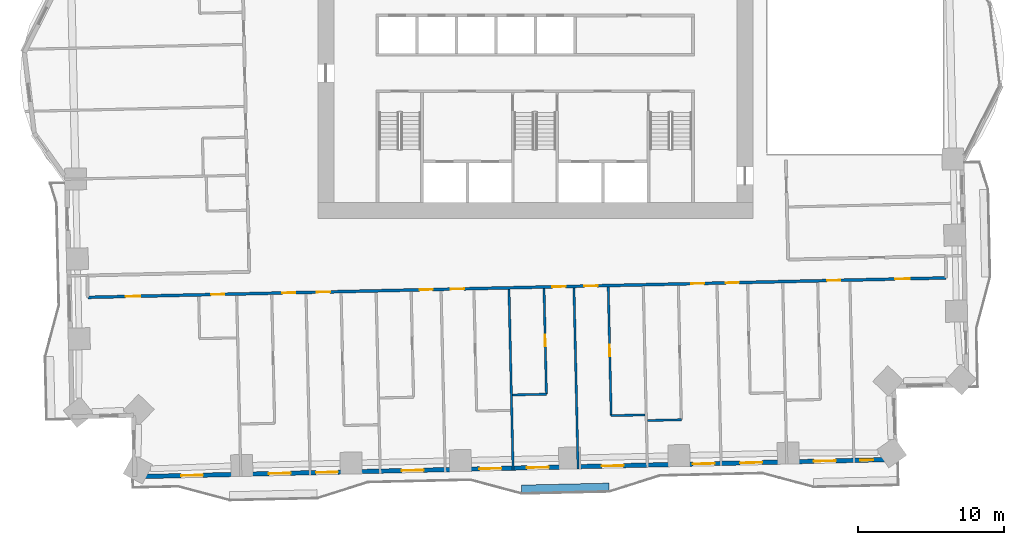
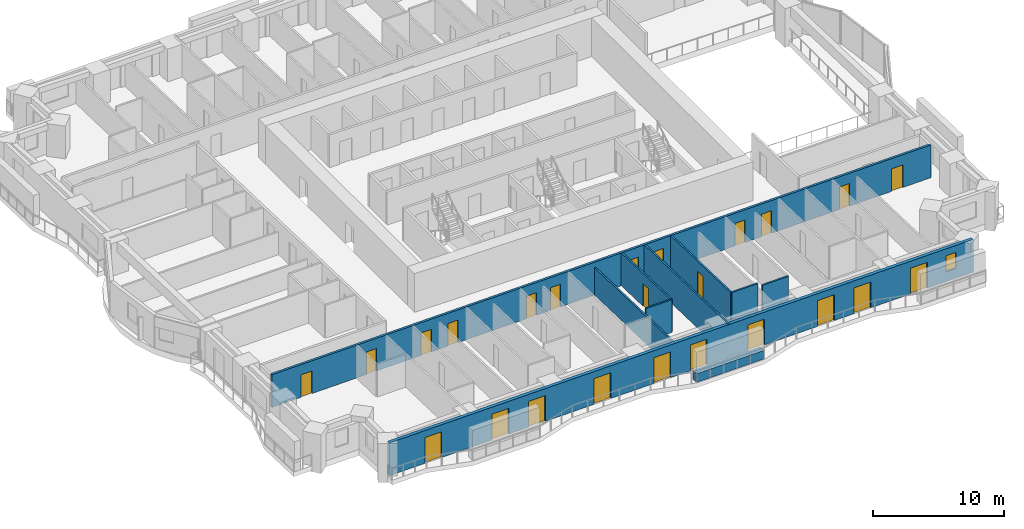
# One storey, part 6 of 16: 24 doors, 10 walls, 1 window, 25 openings.
"""IFC4 building model written with IfcOpenShell, lengths in metres."""

from ifc_helpers import new_model, si_unit, direction, frame, frame_2d, origin, place, context, subcontext, project, spatial, rectangle, extrude, material, layer, layer_set, type_object, element, fill, save


model = new_model("IFC4")

# Units and contexts
model_context = context("Model", 3, precision=1e-05, world=origin(), true_north=direction((0.0, 1.0)))
body_context = subcontext(model_context, "Body", "Model", "MODEL_VIEW")
ifc_project = project(units=[si_unit("LENGTHUNIT", "METRE"), si_unit("AREAUNIT", "SQUARE_METRE"), si_unit("VOLUMEUNIT", "CUBIC_METRE"), si_unit("PLANEANGLEUNIT", "RADIAN"), si_unit("MASSUNIT", "GRAM", prefix="KILO")], contexts=[model_context])

# Site, building, storey
site_placement = place(None, origin())
site = spatial("IfcSite", under=ifc_project, at=site_placement, CompositionType="ELEMENT")
building_placement = place(site_placement, origin())
building = spatial("IfcBuilding", under=site, at=building_placement, Name="Mangrove Gate Tower", CompositionType="ELEMENT")
storey_placement = place(building_placement, frame((0.0, 0.0, 48.5)))
storey = spatial("IfcBuildingStorey", under=building, at=storey_placement, Name="L11", CompositionType="ELEMENT", Elevation=48.5)

# Wall, openings, doors
ifc_material_1 = material(Name="Gypsum board on steel stud, EI 60", Category="steel")
ifc_layer_1 = layer(ifc_material_1, 0.199951171875)
ifc_layer_set_1 = layer_set([ifc_layer_1], Name="Corridor wall EI 60")
wall_type_1 = type_object("IfcWallType", Name="Corridor wall EI 60", PredefinedType="PARTITIONING", material=ifc_layer_set_1)
wall_1_placement = place(storey_placement, frame((-30.652099609375, -17.31298828125, 0.0), z_axis=(0.0, 0.0, 1.0), x_axis=(0.999742623764, 0.02268669719, 0.0)))
wall_1 = element("IfcWall", 1, at=wall_1_placement, inside=storey, type_object=wall_type_1, Name="WALL-L11-031", PredefinedType="PARTITIONING", context=body_context, shape_type="SweptSolid", body=[
    extrude(rectangle(XDim=58.80029296875, YDim=0.199951171875, at=frame_2d((29.400146484375, 0.0))), origin(), (0.0, 0.0, 1.0), 3.050048828125),
])
opening_1_placement = place(wall_1_placement, frame((2.60009765625, 0.0, 0.0)))
opening_1 = element("IfcOpeningElement", 2, at=opening_1_placement, cuts=wall_1, Name="Opening AD", PredefinedType="OPENING", context=body_context, shape_type="SweptSolid", body=[
    extrude(rectangle(XDim=1.0, YDim=2.10009765625, at=frame_2d((0.5, 1.050048828125))), frame((0.0, 0.10986328125, 0.0), z_axis=(0.0, -1.0, 0.0), x_axis=(1.0, 0.0, 0.0)), (0.0, 0.0, 1.0), 0.219970703125),
])
opening_2_placement = place(wall_1_placement, frame((8.449951171875, 0.0, 0.0)))
opening_2 = element("IfcOpeningElement", 3, at=opening_2_placement, cuts=wall_1, Name="Opening SD", PredefinedType="OPENING", context=body_context, shape_type="SweptSolid", body=[
    extrude(rectangle(XDim=0.89990234375, YDim=2.10009765625, at=frame_2d((0.449951171875, 1.050048828125))), frame((0.0, 0.10986328125, 0.0), z_axis=(0.0, -1.0, 0.0), x_axis=(1.0, 0.0, 0.0)), (0.0, 0.0, 1.0), 0.219970703125),
])
opening_3_placement = place(wall_1_placement, frame((13.324951171875, 0.0, 0.0)))
opening_3 = element("IfcOpeningElement", 4, at=opening_3_placement, cuts=wall_1, Name="Opening BD", PredefinedType="OPENING", context=body_context, shape_type="SweptSolid", body=[
    extrude(rectangle(XDim=0.89990234375, YDim=2.10009765625, at=frame_2d((0.449951171875, 1.050048828125))), frame((0.0, 0.10986328125, 0.0), z_axis=(0.0, -1.0, 0.0), x_axis=(1.0, 0.0, 0.0)), (0.0, 0.0, 1.0), 0.219970703125),
])
opening_4_placement = place(wall_1_placement, frame((15.699951171875, 0.0, 0.0)))
opening_4 = element("IfcOpeningElement", 5, at=opening_4_placement, cuts=wall_1, Name="Opening BD", PredefinedType="OPENING", context=body_context, shape_type="SweptSolid", body=[
    extrude(rectangle(XDim=0.89990234375, YDim=2.10009765625, at=frame_2d((0.449951171875, 1.050048828125))), frame((0.0, 0.10986328125, 0.0), z_axis=(0.0, -1.0, 0.0), x_axis=(1.0, 0.0, 0.0)), (0.0, 0.0, 1.0), 0.219970703125),
])
opening_5_placement = place(wall_1_placement, frame((22.72509765625, 0.0, 0.0)))
opening_5 = element("IfcOpeningElement", 6, at=opening_5_placement, cuts=wall_1, Name="Opening BD", PredefinedType="OPENING", context=body_context, shape_type="SweptSolid", body=[
    extrude(rectangle(XDim=0.89990234375, YDim=2.10009765625, at=frame_2d((0.449951171875, 1.050048828125))), frame((0.0, 0.10986328125, 0.0), z_axis=(0.0, -1.0, 0.0), x_axis=(1.0, 0.0, 0.0)), (0.0, 0.0, 1.0), 0.219970703125),
])
opening_6_placement = place(wall_1_placement, frame((24.875, 0.0, 0.0)))
opening_6 = element("IfcOpeningElement", 7, at=opening_6_placement, cuts=wall_1, Name="Opening BD", PredefinedType="OPENING", context=body_context, shape_type="SweptSolid", body=[
    extrude(rectangle(XDim=0.89990234375, YDim=2.10009765625, at=frame_2d((0.449951171875, 1.050048828125))), frame((0.0, 0.10986328125, 0.0), z_axis=(0.0, -1.0, 0.0), x_axis=(1.0, 0.0, 0.0)), (0.0, 0.0, 1.0), 0.219970703125),
])
opening_7_placement = place(wall_1_placement, frame((31.824951171875, 0.0, 0.0)))
opening_7 = element("IfcOpeningElement", 8, at=opening_7_placement, cuts=wall_1, Name="Opening BD", PredefinedType="OPENING", context=body_context, shape_type="SweptSolid", body=[
    extrude(rectangle(XDim=0.89990234375, YDim=2.10009765625, at=frame_2d((0.449951171875, 1.050048828125))), frame((0.0, 0.10986328125, 0.0), z_axis=(0.0, -1.0, 0.0), x_axis=(1.0, 0.0, 0.0)), (0.0, 0.0, 1.0), 0.219970703125),
])
opening_8_placement = place(wall_1_placement, frame((34.02490234375, 0.0, 0.0)))
opening_8 = element("IfcOpeningElement", 9, at=opening_8_placement, cuts=wall_1, Name="Opening BD", PredefinedType="OPENING", context=body_context, shape_type="SweptSolid", body=[
    extrude(rectangle(XDim=0.89990234375, YDim=2.10009765625, at=frame_2d((0.449951171875, 1.050048828125))), frame((0.0, 0.10986328125, 0.0), z_axis=(0.0, -1.0, 0.0), x_axis=(1.0, 0.0, 0.0)), (0.0, 0.0, 1.0), 0.219970703125),
])
opening_9_placement = place(wall_1_placement, frame((41.324951171875, 0.0, 0.0)))
opening_9 = element("IfcOpeningElement", 10, at=opening_9_placement, cuts=wall_1, Name="Opening BD", PredefinedType="OPENING", context=body_context, shape_type="SweptSolid", body=[
    extrude(rectangle(XDim=0.89990234375, YDim=2.10009765625, at=frame_2d((0.449951171875, 1.050048828125))), frame((0.0, 0.10986328125, 0.0), z_axis=(0.0, -1.0, 0.0), x_axis=(1.0, 0.0, 0.0)), (0.0, 0.0, 1.0), 0.219970703125),
])
opening_10_placement = place(wall_1_placement, frame((43.699951171875, 0.0, 0.0)))
opening_10 = element("IfcOpeningElement", 11, at=opening_10_placement, cuts=wall_1, Name="Opening BD", PredefinedType="OPENING", context=body_context, shape_type="SweptSolid", body=[
    extrude(rectangle(XDim=0.89990234375, YDim=2.10009765625, at=frame_2d((0.449951171875, 1.050048828125))), frame((0.0, 0.10986328125, 0.0), z_axis=(0.0, -1.0, 0.0), x_axis=(1.0, 0.0, 0.0)), (0.0, 0.0, 1.0), 0.219970703125),
])
opening_11_placement = place(wall_1_placement, frame((50.64990234375, 0.0, 0.0)))
opening_11 = element("IfcOpeningElement", 12, at=opening_11_placement, cuts=wall_1, Name="Opening BD", PredefinedType="OPENING", context=body_context, shape_type="SweptSolid", body=[
    extrude(rectangle(XDim=0.89990234375, YDim=2.10009765625, at=frame_2d((0.449951171875, 1.050048828125))), frame((0.0, 0.10986328125, 0.0), z_axis=(0.0, -1.0, 0.0), x_axis=(1.0, 0.0, 0.0)), (0.0, 0.0, 1.0), 0.219970703125),
])
opening_12_placement = place(wall_1_placement, frame((55.303955078125, 0.0, 0.0)))
opening_12 = element("IfcOpeningElement", 13, at=opening_12_placement, cuts=wall_1, Name="Opening AD", PredefinedType="OPENING", context=body_context, shape_type="SweptSolid", body=[
    extrude(rectangle(XDim=1.0, YDim=2.10009765625, at=frame_2d((0.5, 1.050048828125))), frame((0.0, 0.10986328125, 0.0), z_axis=(0.0, -1.0, 0.0), x_axis=(1.0, 0.0, 0.0)), (0.0, 0.0, 1.0), 0.219970703125),
])
ifc_material_2 = material(Name="Timber door leaf", Category="wood")
door_type_1 = type_object("IfcDoorType", Name="Amenity door 1000", OperationType="SINGLE_SWING_LEFT", PredefinedType="DOOR", material=ifc_material_2)
door_1_placement = place(opening_1_placement, origin())
door_1 = element("IfcDoor", 14, at=door_1_placement, inside=storey, type_object=door_type_1, Name="DOOR-L11-GAM-c1a", OperationType="SINGLE_SWING_LEFT", OverallHeight=2.10009765625, OverallWidth=1.0, PredefinedType="DOOR", context=body_context, shape_type="SweptSolid", body=[
    extrude(rectangle(XDim=1.0, YDim=2.10009765625, at=frame_2d((0.5, 1.050048828125))), frame((0.0, 0.02490234375, 0.0), z_axis=(0.0, -1.0, 0.0), x_axis=(1.0, 0.0, 0.0)), (0.0, 0.0, 1.0), 0.050048828125),
])
fill(opening_1, door_1)
door_2_placement = place(opening_12_placement, origin())
door_2 = element("IfcDoor", 15, at=door_2_placement, inside=storey, type_object=door_type_1, Name="DOOR-L11-STU-c3a", OperationType="SINGLE_SWING_RIGHT", OverallHeight=2.10009765625, OverallWidth=1.0, PredefinedType="DOOR", context=body_context, shape_type="SweptSolid", body=[
    extrude(rectangle(XDim=1.0, YDim=2.10009765625, at=frame_2d((0.5, 1.050048828125))), frame((0.0, 0.02490234375, 0.0), z_axis=(0.0, -1.0, 0.0), x_axis=(1.0, 0.0, 0.0)), (0.0, 0.0, 1.0), 0.050048828125),
])
fill(opening_12, door_2)
ifc_material_3 = material(Name="Timber door leaf", Category="wood")
door_type_2 = type_object("IfcDoorType", Name="Bedroom door 900", OperationType="SINGLE_SWING_LEFT", PredefinedType="DOOR", material=ifc_material_3)
door_3_placement = place(opening_3_placement, origin())
door_3 = element("IfcDoor", 16, at=door_3_placement, inside=storey, type_object=door_type_2, Name="DOOR-L11-BED-c101", OperationType="SINGLE_SWING_LEFT", OverallHeight=2.10009765625, OverallWidth=0.89990234375, PredefinedType="DOOR", context=body_context, shape_type="SweptSolid", body=[
    extrude(rectangle(XDim=0.89990234375, YDim=2.10009765625, at=frame_2d((0.449951171875, 1.050048828125))), frame((0.0, 0.02490234375, 0.0), z_axis=(0.0, -1.0, 0.0), x_axis=(1.0, 0.0, 0.0)), (0.0, 0.0, 1.0), 0.050048828125),
])
fill(opening_3, door_3)
door_4_placement = place(opening_4_placement, origin())
door_4 = element("IfcDoor", 17, at=door_4_placement, inside=storey, type_object=door_type_2, Name="DOOR-L11-BED-c102", OperationType="SINGLE_SWING_RIGHT", OverallHeight=2.10009765625, OverallWidth=0.89990234375, PredefinedType="DOOR", context=body_context, shape_type="SweptSolid", body=[
    extrude(rectangle(XDim=0.89990234375, YDim=2.10009765625, at=frame_2d((0.449951171875, 1.050048828125))), frame((0.0, 0.02490234375, 0.0), z_axis=(0.0, -1.0, 0.0), x_axis=(1.0, 0.0, 0.0)), (0.0, 0.0, 1.0), 0.050048828125),
])
fill(opening_4, door_4)
door_5_placement = place(opening_5_placement, origin())
door_5 = element("IfcDoor", 18, at=door_5_placement, inside=storey, type_object=door_type_2, Name="DOOR-L11-BED-c103", OperationType="SINGLE_SWING_LEFT", OverallHeight=2.10009765625, OverallWidth=0.89990234375, PredefinedType="DOOR", context=body_context, shape_type="SweptSolid", body=[
    extrude(rectangle(XDim=0.89990234375, YDim=2.10009765625, at=frame_2d((0.449951171875, 1.050048828125))), frame((0.0, 0.02490234375, 0.0), z_axis=(0.0, -1.0, 0.0), x_axis=(1.0, 0.0, 0.0)), (0.0, 0.0, 1.0), 0.050048828125),
])
fill(opening_5, door_5)
door_6_placement = place(opening_6_placement, origin())
door_6 = element("IfcDoor", 19, at=door_6_placement, inside=storey, type_object=door_type_2, Name="DOOR-L11-BED-c104", OperationType="SINGLE_SWING_RIGHT", OverallHeight=2.10009765625, OverallWidth=0.89990234375, PredefinedType="DOOR", context=body_context, shape_type="SweptSolid", body=[
    extrude(rectangle(XDim=0.89990234375, YDim=2.10009765625, at=frame_2d((0.449951171875, 1.050048828125))), frame((0.0, 0.02490234375, 0.0), z_axis=(0.0, -1.0, 0.0), x_axis=(1.0, 0.0, 0.0)), (0.0, 0.0, 1.0), 0.050048828125),
])
fill(opening_6, door_6)
door_7_placement = place(opening_7_placement, origin())
door_7 = element("IfcDoor", 20, at=door_7_placement, inside=storey, type_object=door_type_2, Name="DOOR-L11-BED-c205", OperationType="SINGLE_SWING_LEFT", OverallHeight=2.10009765625, OverallWidth=0.89990234375, PredefinedType="DOOR", context=body_context, shape_type="SweptSolid", body=[
    extrude(rectangle(XDim=0.89990234375, YDim=2.10009765625, at=frame_2d((0.449951171875, 1.050048828125))), frame((0.0, 0.02490234375, 0.0), z_axis=(0.0, -1.0, 0.0), x_axis=(1.0, 0.0, 0.0)), (0.0, 0.0, 1.0), 0.050048828125),
])
fill(opening_7, door_7)
door_8_placement = place(opening_8_placement, origin())
door_8 = element("IfcDoor", 21, at=door_8_placement, inside=storey, type_object=door_type_2, Name="DOOR-L11-BED-c206", OperationType="SINGLE_SWING_RIGHT", OverallHeight=2.10009765625, OverallWidth=0.89990234375, PredefinedType="DOOR", context=body_context, shape_type="SweptSolid", body=[
    extrude(rectangle(XDim=0.89990234375, YDim=2.10009765625, at=frame_2d((0.449951171875, 1.050048828125))), frame((0.0, 0.02490234375, 0.0), z_axis=(0.0, -1.0, 0.0), x_axis=(1.0, 0.0, 0.0)), (0.0, 0.0, 1.0), 0.050048828125),
])
fill(opening_8, door_8)
door_9_placement = place(opening_9_placement, origin())
door_9 = element("IfcDoor", 22, at=door_9_placement, inside=storey, type_object=door_type_2, Name="DOOR-L11-BED-c207", OperationType="SINGLE_SWING_LEFT", OverallHeight=2.10009765625, OverallWidth=0.89990234375, PredefinedType="DOOR", context=body_context, shape_type="SweptSolid", body=[
    extrude(rectangle(XDim=0.89990234375, YDim=2.10009765625, at=frame_2d((0.449951171875, 1.050048828125))), frame((0.0, 0.02490234375, 0.0), z_axis=(0.0, -1.0, 0.0), x_axis=(1.0, 0.0, 0.0)), (0.0, 0.0, 1.0), 0.050048828125),
])
fill(opening_9, door_9)
door_10_placement = place(opening_10_placement, origin())
door_10 = element("IfcDoor", 23, at=door_10_placement, inside=storey, type_object=door_type_2, Name="DOOR-L11-BED-c208", OperationType="SINGLE_SWING_RIGHT", OverallHeight=2.10009765625, OverallWidth=0.89990234375, PredefinedType="DOOR", context=body_context, shape_type="SweptSolid", body=[
    extrude(rectangle(XDim=0.89990234375, YDim=2.10009765625, at=frame_2d((0.449951171875, 1.050048828125))), frame((0.0, 0.02490234375, 0.0), z_axis=(0.0, -1.0, 0.0), x_axis=(1.0, 0.0, 0.0)), (0.0, 0.0, 1.0), 0.050048828125),
])
fill(opening_10, door_10)
door_11_placement = place(opening_11_placement, origin())
door_11 = element("IfcDoor", 24, at=door_11_placement, inside=storey, type_object=door_type_2, Name="DOOR-L11-BED-c309", OperationType="SINGLE_SWING_LEFT", OverallHeight=2.10009765625, OverallWidth=0.89990234375, PredefinedType="DOOR", context=body_context, shape_type="SweptSolid", body=[
    extrude(rectangle(XDim=0.89990234375, YDim=2.10009765625, at=frame_2d((0.449951171875, 1.050048828125))), frame((0.0, 0.02490234375, 0.0), z_axis=(0.0, -1.0, 0.0), x_axis=(1.0, 0.0, 0.0)), (0.0, 0.0, 1.0), 0.050048828125),
])
fill(opening_11, door_11)
ifc_material_4 = material(Name="Timber door leaf", Category="wood")
door_type_3 = type_object("IfcDoorType", Name="Service room door 900", OperationType="SINGLE_SWING_LEFT", PredefinedType="DOOR", material=ifc_material_4)
door_12_placement = place(opening_2_placement, origin())
door_12 = element("IfcDoor", 25, at=door_12_placement, inside=storey, type_object=door_type_3, Name="DOOR-L11-AWC-c1a", OperationType="SINGLE_SWING_LEFT", OverallHeight=2.10009765625, OverallWidth=0.89990234375, PredefinedType="DOOR", context=body_context, shape_type="SweptSolid", body=[
    extrude(rectangle(XDim=0.89990234375, YDim=2.10009765625, at=frame_2d((0.449951171875, 1.050048828125))), frame((0.0, 0.02490234375, 0.0), z_axis=(0.0, -1.0, 0.0), x_axis=(1.0, 0.0, 0.0)), (0.0, 0.0, 1.0), 0.050048828125),
])
fill(opening_2, door_12)

# Wall, openings, doors, window
ifc_material_5 = material(Name="Limestone", Category="masonry")
ifc_layer_2 = layer(ifc_material_5, 0.0400390625, Name="Limestone cladding")
ifc_material_6 = material(Name="Ventilated air gap")
ifc_layer_3 = layer(ifc_material_6, 0.0400390625, Name="Ventilated cavity")
ifc_material_7 = material(Name="Mineral wool insulation")
ifc_layer_4 = layer(ifc_material_7, 0.06005859375, Name="Insulation")
ifc_material_8 = material(Name="Breather membrane")
ifc_layer_5 = layer(ifc_material_8, 0.001953125, Name="Breather membrane")
ifc_material_9 = material(Name="Concrete C20/25 blockwork", Category="masonry")
ifc_layer_6 = layer(ifc_material_9, 0.14990234375, Name="Blockwork backing wall")
ifc_material_10 = material(Name="Gypsum plaster")
ifc_layer_7 = layer(ifc_material_10, 0.008056640625, Name="Internal plaster")
ifc_layer_set_2 = layer_set([ifc_layer_2, ifc_layer_3, ifc_layer_4, ifc_layer_5, ifc_layer_6, ifc_layer_7], Name="External wall 300 limestone cladding")
wall_type_2 = type_object("IfcWallType", Name="External wall 300 limestone cladding", PredefinedType="SOLIDWALL", material=ifc_layer_set_2)
wall_2_placement = place(storey_placement, frame((-27.423095703125, -29.593017578125, 0.0), z_axis=(0.0, 0.0, 1.0), x_axis=(0.999742563204, 0.022689365739, 0.0)))
wall_2 = element("IfcWall", 26, at=wall_2_placement, inside=storey, type_object=wall_type_2, Name="WALL-L11-S13", PredefinedType="SOLIDWALL", context=body_context, shape_type="SweptSolid", body=[
    extrude(rectangle(XDim=52.1005859375, YDim=0.300048828125, at=frame_2d((26.05029296875, 0.0))), origin(), (0.0, 0.0, 1.0), 3.050048828125),
])
opening_13_placement = place(wall_2_placement, frame((3.162109375, 0.0, 0.0)))
opening_13 = element("IfcOpeningElement", 27, at=opening_13_placement, cuts=wall_2, Name="Opening BD1", PredefinedType="OPENING", context=body_context, shape_type="SweptSolid", body=[
    extrude(rectangle(XDim=1.5, YDim=2.39990234375, at=frame_2d((0.75, 1.199951171875))), frame((0.0, 0.159912109375, 0.0), z_axis=(0.0, -1.0, 0.0), x_axis=(1.0, 0.0, 0.0)), (0.0, 0.0, 1.0), 0.320068359375),
])
opening_14_placement = place(wall_2_placement, frame((9.16796875, 0.0, 0.0)))
opening_14 = element("IfcOpeningElement", 28, at=opening_14_placement, cuts=wall_2, Name="Opening BD1", PredefinedType="OPENING", context=body_context, shape_type="SweptSolid", body=[
    extrude(rectangle(XDim=1.5, YDim=2.39990234375, at=frame_2d((0.75, 1.199951171875))), frame((0.0, 0.159912109375, 0.0), z_axis=(0.0, -1.0, 0.0), x_axis=(1.0, 0.0, 0.0)), (0.0, 0.0, 1.0), 0.320068359375),
])
opening_15_placement = place(wall_2_placement, frame((12.410888671875, 0.0, 0.0)))
opening_15 = element("IfcOpeningElement", 29, at=opening_15_placement, cuts=wall_2, Name="Opening BD1", PredefinedType="OPENING", context=body_context, shape_type="SweptSolid", body=[
    extrude(rectangle(XDim=1.5, YDim=2.39990234375, at=frame_2d((0.75, 1.199951171875))), frame((0.0, 0.159912109375, 0.0), z_axis=(0.0, -1.0, 0.0), x_axis=(1.0, 0.0, 0.0)), (0.0, 0.0, 1.0), 0.320068359375),
])
opening_16_placement = place(wall_2_placement, frame((18.27490234375, 0.0, 0.0)))
opening_16 = element("IfcOpeningElement", 30, at=opening_16_placement, cuts=wall_2, Name="Opening BD1", PredefinedType="OPENING", context=body_context, shape_type="SweptSolid", body=[
    extrude(rectangle(XDim=1.5, YDim=2.39990234375, at=frame_2d((0.75, 1.199951171875))), frame((0.0, 0.159912109375, 0.0), z_axis=(0.0, -1.0, 0.0), x_axis=(1.0, 0.0, 0.0)), (0.0, 0.0, 1.0), 0.320068359375),
])
opening_17_placement = place(wall_2_placement, frame((23.60302734375, 0.0, 0.0)))
opening_17 = element("IfcOpeningElement", 31, at=opening_17_placement, cuts=wall_2, Name="Opening BD1", PredefinedType="OPENING", context=body_context, shape_type="SweptSolid", body=[
    extrude(rectangle(XDim=1.5, YDim=2.39990234375, at=frame_2d((0.75, 1.199951171875))), frame((0.0, 0.159912109375, 0.0), z_axis=(0.0, -1.0, 0.0), x_axis=(1.0, 0.0, 0.0)), (0.0, 0.0, 1.0), 0.320068359375),
])
opening_18_placement = place(wall_2_placement, frame((26.845947265625, 0.0, 0.0)))
opening_18 = element("IfcOpeningElement", 32, at=opening_18_placement, cuts=wall_2, Name="Opening BD1", PredefinedType="OPENING", context=body_context, shape_type="SweptSolid", body=[
    extrude(rectangle(XDim=1.5, YDim=2.39990234375, at=frame_2d((0.75, 1.199951171875))), frame((0.0, 0.159912109375, 0.0), z_axis=(0.0, -1.0, 0.0), x_axis=(1.0, 0.0, 0.0)), (0.0, 0.0, 1.0), 0.320068359375),
])
opening_19_placement = place(wall_2_placement, frame((31.97509765625, 0.0, 0.0)))
opening_19 = element("IfcOpeningElement", 33, at=opening_19_placement, cuts=wall_2, Name="Opening BD1", PredefinedType="OPENING", context=body_context, shape_type="SweptSolid", body=[
    extrude(rectangle(XDim=1.5, YDim=2.39990234375, at=frame_2d((0.75, 1.199951171875))), frame((0.0, 0.159912109375, 0.0), z_axis=(0.0, -1.0, 0.0), x_axis=(1.0, 0.0, 0.0)), (0.0, 0.0, 1.0), 0.320068359375),
])
opening_20_placement = place(wall_2_placement, frame((38.214111328125, 0.0, 0.0)))
opening_20 = element("IfcOpeningElement", 34, at=opening_20_placement, cuts=wall_2, Name="Opening BD1", PredefinedType="OPENING", context=body_context, shape_type="SweptSolid", body=[
    extrude(rectangle(XDim=1.5, YDim=2.39990234375, at=frame_2d((0.75, 1.199951171875))), frame((0.0, 0.159912109375, 0.0), z_axis=(0.0, -1.0, 0.0), x_axis=(1.0, 0.0, 0.0)), (0.0, 0.0, 1.0), 0.320068359375),
])
opening_21_placement = place(wall_2_placement, frame((41.45703125, 0.0, 0.0)))
opening_21 = element("IfcOpeningElement", 35, at=opening_21_placement, cuts=wall_2, Name="Opening BD1", PredefinedType="OPENING", context=body_context, shape_type="SweptSolid", body=[
    extrude(rectangle(XDim=1.5, YDim=2.39990234375, at=frame_2d((0.75, 1.199951171875))), frame((0.0, 0.159912109375, 0.0), z_axis=(0.0, -1.0, 0.0), x_axis=(1.0, 0.0, 0.0)), (0.0, 0.0, 1.0), 0.320068359375),
])
opening_22_placement = place(wall_2_placement, frame((46.507080078125, 0.0, 0.0)))
opening_22 = element("IfcOpeningElement", 36, at=opening_22_placement, cuts=wall_2, Name="Opening BD1", PredefinedType="OPENING", context=body_context, shape_type="SweptSolid", body=[
    extrude(rectangle(XDim=1.5, YDim=2.39990234375, at=frame_2d((0.75, 1.199951171875))), frame((0.0, 0.159912109375, 0.0), z_axis=(0.0, -1.0, 0.0), x_axis=(1.0, 0.0, 0.0)), (0.0, 0.0, 1.0), 0.320068359375),
])
opening_23_placement = place(wall_2_placement, frame((49.6708984375, 0.0, 0.89990234375)))
opening_23 = element("IfcOpeningElement", 37, at=opening_23_placement, cuts=wall_2, Name="Opening W5", PredefinedType="OPENING", context=body_context, shape_type="SweptSolid", body=[
    extrude(rectangle(XDim=0.89990234375, YDim=1.5, at=frame_2d((0.449951171875, 0.75))), frame((0.0, 0.159912109375, 0.0), z_axis=(0.0, -1.0, 0.0), x_axis=(1.0, 0.0, 0.0)), (0.0, 0.0, 1.0), 0.320068359375),
])
ifc_material_11 = material(Name="Aluminium frame with laminated clear glass", Category="aluminium")
door_type_4 = type_object("IfcDoorType", Name="Balcony sliding door 1500x2400", OperationType="SLIDING_TO_LEFT", PredefinedType="DOOR", material=ifc_material_11)
door_13_placement = place(opening_13_placement, origin())
door_13 = element("IfcDoor", 38, at=door_13_placement, inside=storey, type_object=door_type_4, Name="DOOR-L11-S13-1", OperationType="SLIDING_TO_LEFT", OverallHeight=2.39990234375, OverallWidth=1.5, PredefinedType="DOOR", context=body_context, shape_type="SweptSolid", body=[
    extrude(rectangle(XDim=1.5, YDim=2.39990234375, at=frame_2d((0.75, 1.199951171875))), frame((0.0, 0.02490234375, 0.0), z_axis=(0.0, -1.0, 0.0), x_axis=(1.0, 0.0, 0.0)), (0.0, 0.0, 1.0), 0.050048828125),
])
fill(opening_13, door_13)
door_14_placement = place(opening_14_placement, origin())
door_14 = element("IfcDoor", 39, at=door_14_placement, inside=storey, type_object=door_type_4, Name="DOOR-L11-S13-2", OperationType="SLIDING_TO_LEFT", OverallHeight=2.39990234375, OverallWidth=1.5, PredefinedType="DOOR", context=body_context, shape_type="SweptSolid", body=[
    extrude(rectangle(XDim=1.5, YDim=2.39990234375, at=frame_2d((0.75, 1.199951171875))), frame((0.0, 0.02490234375, 0.0), z_axis=(0.0, -1.0, 0.0), x_axis=(1.0, 0.0, 0.0)), (0.0, 0.0, 1.0), 0.050048828125),
])
fill(opening_14, door_14)
door_15_placement = place(opening_15_placement, origin())
door_15 = element("IfcDoor", 40, at=door_15_placement, inside=storey, type_object=door_type_4, Name="DOOR-L11-S13-3", OperationType="SLIDING_TO_LEFT", OverallHeight=2.39990234375, OverallWidth=1.5, PredefinedType="DOOR", context=body_context, shape_type="SweptSolid", body=[
    extrude(rectangle(XDim=1.5, YDim=2.39990234375, at=frame_2d((0.75, 1.199951171875))), frame((0.0, 0.02490234375, 0.0), z_axis=(0.0, -1.0, 0.0), x_axis=(1.0, 0.0, 0.0)), (0.0, 0.0, 1.0), 0.050048828125),
])
fill(opening_15, door_15)
door_16_placement = place(opening_16_placement, origin())
door_16 = element("IfcDoor", 41, at=door_16_placement, inside=storey, type_object=door_type_4, Name="DOOR-L11-S13-4", OperationType="SLIDING_TO_LEFT", OverallHeight=2.39990234375, OverallWidth=1.5, PredefinedType="DOOR", context=body_context, shape_type="SweptSolid", body=[
    extrude(rectangle(XDim=1.5, YDim=2.39990234375, at=frame_2d((0.75, 1.199951171875))), frame((0.0, 0.02490234375, 0.0), z_axis=(0.0, -1.0, 0.0), x_axis=(1.0, 0.0, 0.0)), (0.0, 0.0, 1.0), 0.050048828125),
])
fill(opening_16, door_16)
door_17_placement = place(opening_17_placement, origin())
door_17 = element("IfcDoor", 42, at=door_17_placement, inside=storey, type_object=door_type_4, Name="DOOR-L11-S13-5", OperationType="SLIDING_TO_LEFT", OverallHeight=2.39990234375, OverallWidth=1.5, PredefinedType="DOOR", context=body_context, shape_type="SweptSolid", body=[
    extrude(rectangle(XDim=1.5, YDim=2.39990234375, at=frame_2d((0.75, 1.199951171875))), frame((0.0, 0.02490234375, 0.0), z_axis=(0.0, -1.0, 0.0), x_axis=(1.0, 0.0, 0.0)), (0.0, 0.0, 1.0), 0.050048828125),
])
fill(opening_17, door_17)
door_18_placement = place(opening_18_placement, origin())
door_18 = element("IfcDoor", 43, at=door_18_placement, inside=storey, type_object=door_type_4, Name="DOOR-L11-S13-6", OperationType="SLIDING_TO_LEFT", OverallHeight=2.39990234375, OverallWidth=1.5, PredefinedType="DOOR", context=body_context, shape_type="SweptSolid", body=[
    extrude(rectangle(XDim=1.5, YDim=2.39990234375, at=frame_2d((0.75, 1.199951171875))), frame((0.0, 0.02490234375, 0.0), z_axis=(0.0, -1.0, 0.0), x_axis=(1.0, 0.0, 0.0)), (0.0, 0.0, 1.0), 0.050048828125),
])
fill(opening_18, door_18)
door_19_placement = place(opening_19_placement, origin())
door_19 = element("IfcDoor", 44, at=door_19_placement, inside=storey, type_object=door_type_4, Name="DOOR-L11-S13-7", OperationType="SLIDING_TO_LEFT", OverallHeight=2.39990234375, OverallWidth=1.5, PredefinedType="DOOR", context=body_context, shape_type="SweptSolid", body=[
    extrude(rectangle(XDim=1.5, YDim=2.39990234375, at=frame_2d((0.75, 1.199951171875))), frame((0.0, 0.02490234375, 0.0), z_axis=(0.0, -1.0, 0.0), x_axis=(1.0, 0.0, 0.0)), (0.0, 0.0, 1.0), 0.050048828125),
])
fill(opening_19, door_19)
door_20_placement = place(opening_20_placement, origin())
door_20 = element("IfcDoor", 45, at=door_20_placement, inside=storey, type_object=door_type_4, Name="DOOR-L11-S13-8", OperationType="SLIDING_TO_LEFT", OverallHeight=2.39990234375, OverallWidth=1.5, PredefinedType="DOOR", context=body_context, shape_type="SweptSolid", body=[
    extrude(rectangle(XDim=1.5, YDim=2.39990234375, at=frame_2d((0.75, 1.199951171875))), frame((0.0, 0.02490234375, 0.0), z_axis=(0.0, -1.0, 0.0), x_axis=(1.0, 0.0, 0.0)), (0.0, 0.0, 1.0), 0.050048828125),
])
fill(opening_20, door_20)
door_21_placement = place(opening_21_placement, origin())
door_21 = element("IfcDoor", 46, at=door_21_placement, inside=storey, type_object=door_type_4, Name="DOOR-L11-S13-9", OperationType="SLIDING_TO_LEFT", OverallHeight=2.39990234375, OverallWidth=1.5, PredefinedType="DOOR", context=body_context, shape_type="SweptSolid", body=[
    extrude(rectangle(XDim=1.5, YDim=2.39990234375, at=frame_2d((0.75, 1.199951171875))), frame((0.0, 0.02490234375, 0.0), z_axis=(0.0, -1.0, 0.0), x_axis=(1.0, 0.0, 0.0)), (0.0, 0.0, 1.0), 0.050048828125),
])
fill(opening_21, door_21)
door_22_placement = place(opening_22_placement, origin())
door_22 = element("IfcDoor", 47, at=door_22_placement, inside=storey, type_object=door_type_4, Name="DOOR-L11-S13-10", OperationType="SLIDING_TO_LEFT", OverallHeight=2.39990234375, OverallWidth=1.5, PredefinedType="DOOR", context=body_context, shape_type="SweptSolid", body=[
    extrude(rectangle(XDim=1.5, YDim=2.39990234375, at=frame_2d((0.75, 1.199951171875))), frame((0.0, 0.02490234375, 0.0), z_axis=(0.0, -1.0, 0.0), x_axis=(1.0, 0.0, 0.0)), (0.0, 0.0, 1.0), 0.050048828125),
])
fill(opening_22, door_22)
ifc_material_12 = material(Name="Aluminium frame with double-glazed low-e glass", Category="aluminium")
window_type = type_object("IfcWindowType", Name="Narrow window 900x1500", PartitioningType="SINGLE_PANEL", PredefinedType="WINDOW", material=ifc_material_12)
window_placement = place(opening_23_placement, origin())
window = element("IfcWindow", 48, at=window_placement, inside=storey, type_object=window_type, Name="WIN-L11-S13-11", OverallHeight=1.5, OverallWidth=0.89990234375, PartitioningType="SINGLE_PANEL", PredefinedType="WINDOW", context=body_context, shape_type="SweptSolid", body=[
    extrude(rectangle(XDim=0.89990234375, YDim=1.5, at=frame_2d((0.449951171875, 0.75))), frame((0.0, 0.030029296875, 0.0), z_axis=(0.0, -1.0, 0.0), x_axis=(1.0, 0.0, 0.0)), (0.0, 0.0, 1.0), 0.06005859375),
])
fill(opening_23, window)

# Walls
ifc_material_13 = material(Name="Gypsum board on steel stud, EI 60", Category="steel")
ifc_layer_8 = layer(ifc_material_13, 0.14990234375)
ifc_layer_set_3 = layer_set([ifc_layer_8], Name="Party wall 150 EI 60")
wall_type_3 = type_object("IfcWallType", Name="Party wall 150 EI 60", PredefinedType="PARTITIONING", material=ifc_layer_set_3)
wall_3_placement = place(storey_placement, frame((-1.52587890625, -29.155029296875, 0.0), z_axis=(0.0, 0.0, 1.0), x_axis=(-0.022663260168, 0.999743155335, 0.0)))
element("IfcWall", 49, at=wall_3_placement, inside=storey, type_object=wall_type_3, Name="WALL-L11-005", PredefinedType="PARTITIONING", context=body_context, shape_type="SweptSolid", body=[
    extrude(rectangle(XDim=12.399169921875, YDim=0.14990234375, at=frame_2d((6.19970703125, 0.0))), origin(), (0.0, 0.0, 1.0), 2.550048828125),
])
wall_4_placement = place(storey_placement, frame((2.923095703125, -29.053955078125, 0.0), z_axis=(0.0, 0.0, 1.0), x_axis=(-0.022663260168, 0.999743155335, 0.0)))
element("IfcWall", 50, at=wall_4_placement, inside=storey, type_object=wall_type_3, Name="WALL-L11-006", PredefinedType="PARTITIONING", context=body_context, shape_type="SweptSolid", body=[
    extrude(rectangle(XDim=12.399169921875, YDim=0.14990234375, at=frame_2d((6.19970703125, 0.0))), origin(), (0.0, 0.0, 1.0), 3.050048828125),
])
for number, where, z_axis, x_axis, name in (
    (51, (7.674072265625, -25.74609375, 0.0), (0.0, 0.0, 1.0), (0.999740260747, 0.02279059109, 0.0), "WALL-L11-011"),
    (52, (5.19091796875, -25.412109375, 0.0), (0.0, 0.0, 1.0), (0.999737862264, 0.022895561926, 0.0), "WALL-L11-017"),
):
    element("IfcWall", number, at=place(storey_placement, frame(where, z_axis=z_axis, x_axis=x_axis)), inside=storey, type_object=wall_type_3, Name=name, PredefinedType="PARTITIONING", context=body_context, shape_type="SweptSolid", body=[
        extrude(rectangle(XDim=2.324462890625, YDim=0.14990234375, at=frame_2d((1.162109375, 0.0))), origin(), (0.0, 0.0, 1.0), 3.050048828125),
    ])

# Wall, opening, door
wall_5_placement = place(storey_placement, frame((5.19091796875, -25.412109375, 0.0), z_axis=(0.0, 0.0, 1.0), x_axis=(-0.022694967989, 0.999742436044, 0.0)))
wall_5 = element("IfcWall", 53, at=wall_5_placement, inside=storey, type_object=wall_type_3, Name="WALL-L11-018", PredefinedType="PARTITIONING", context=body_context, shape_type="SweptSolid", body=[
    extrude(rectangle(XDim=8.810302734375, YDim=0.14990234375, at=frame_2d((4.4052734375, 0.0))), origin(), (0.0, 0.0, 1.0), 3.050048828125),
])
opening_24_placement = place(wall_5_placement, frame((4.054931640625, 0.0, 0.0)))
opening_24 = element("IfcOpeningElement", 54, at=opening_24_placement, cuts=wall_5, Name="Opening ED", PredefinedType="OPENING", context=body_context, shape_type="SweptSolid", body=[
    extrude(rectangle(XDim=0.800048828125, YDim=2.10009765625, at=frame_2d((0.39990234375, 1.050048828125))), frame((0.0, 0.0849609375, 0.0), z_axis=(0.0, -1.0, 0.0), x_axis=(1.0, 0.0, 0.0)), (0.0, 0.0, 1.0), 0.169921875),
])
ifc_material_14 = material(Name="Timber door leaf", Category="wood")
door_type_5 = type_object("IfcDoorType", Name="En-suite door 800", OperationType="SINGLE_SWING_LEFT", PredefinedType="DOOR", material=ifc_material_14)
door_23_placement = place(opening_24_placement, origin())
door_23 = element("IfcDoor", 55, at=door_23_placement, inside=storey, type_object=door_type_5, Name="DOOR-L11-ENS-c206", OperationType="SINGLE_SWING_RIGHT", OverallHeight=2.10009765625, OverallWidth=0.800048828125, PredefinedType="DOOR", context=body_context, shape_type="SweptSolid", body=[
    extrude(rectangle(XDim=0.800048828125, YDim=2.10009765625, at=frame_2d((0.39990234375, 1.050048828125))), frame((0.0, 0.02490234375, 0.0), z_axis=(0.0, -1.0, 0.0), x_axis=(1.0, 0.0, 0.0)), (0.0, 0.0, 1.0), 0.050048828125),
])
fill(opening_24, door_23)

# Wall
wall_6_placement = place(storey_placement, frame((-1.568115234375, -23.9951171875, 0.0), z_axis=(0.0, 0.0, 1.0), x_axis=(0.99973791731, 0.022893158191, 0.0)))
element("IfcWall", 56, at=wall_6_placement, inside=storey, type_object=wall_type_3, Name="WALL-L11-027", PredefinedType="PARTITIONING", context=body_context, shape_type="SweptSolid", body=[
    extrude(rectangle(XDim=2.32470703125, YDim=0.14990234375, at=frame_2d((1.162353515625, 0.0))), origin(), (0.0, 0.0, 1.0), 3.050048828125),
])

# Wall, opening, door
wall_7_placement = place(storey_placement, frame((0.756103515625, -23.94189453125, 0.0), z_axis=(0.0, 0.0, 1.0), x_axis=(-0.022661655024, 0.999743191721, 0.0)))
wall_7 = element("IfcWall", 57, at=wall_7_placement, inside=storey, type_object=wall_type_3, Name="WALL-L11-028", PredefinedType="PARTITIONING", context=body_context, shape_type="SweptSolid", body=[
    extrude(rectangle(XDim=7.23974609375, YDim=0.14990234375, at=frame_2d((3.619873046875, 0.0))), origin(), (0.0, 0.0, 1.0), 3.050048828125),
])
opening_25_placement = place(wall_7_placement, frame((3.27001953125, 0.0, 0.0)))
opening_25 = element("IfcOpeningElement", 58, at=opening_25_placement, cuts=wall_7, Name="Opening ED", PredefinedType="OPENING", context=body_context, shape_type="SweptSolid", body=[
    extrude(rectangle(XDim=0.800048828125, YDim=2.10009765625, at=frame_2d((0.39990234375, 1.050048828125))), frame((0.0, 0.0849609375, 0.0), z_axis=(0.0, -1.0, 0.0), x_axis=(1.0, 0.0, 0.0)), (0.0, 0.0, 1.0), 0.169921875),
])
door_24_placement = place(opening_25_placement, origin())
door_24 = element("IfcDoor", 59, at=door_24_placement, inside=storey, type_object=door_type_5, Name="DOOR-L11-ENS-c205", OperationType="SINGLE_SWING_LEFT", OverallHeight=2.10009765625, OverallWidth=0.800048828125, PredefinedType="DOOR", context=body_context, shape_type="SweptSolid", body=[
    extrude(rectangle(XDim=0.800048828125, YDim=2.10009765625, at=frame_2d((0.39990234375, 1.050048828125))), frame((0.0, 0.02490234375, 0.0), z_axis=(0.0, -1.0, 0.0), x_axis=(1.0, 0.0, 0.0)), (0.0, 0.0, 1.0), 0.050048828125),
])
fill(opening_25, door_24)

# Wall
ifc_material_15 = material(Name="Concrete C32/40", Category="concrete")
ifc_layer_9 = layer(ifc_material_15, 0.199951171875, Name="Planter trough wall")
ifc_material_16 = material(Name="Bituminous waterproofing membrane")
ifc_layer_10 = layer(ifc_material_16, 0.0048828125, Name="Waterproofing")
ifc_material_17 = material(Name="Drainage board and gravel")
ifc_layer_11 = layer(ifc_material_17, 0.044921875, Name="Drainage layer")
ifc_material_18 = material(Name="Planting soil")
ifc_layer_12 = layer(ifc_material_18, 0.300048828125, Name="Growing medium")
ifc_layer_set_4 = layer_set([ifc_layer_9, ifc_layer_10, ifc_layer_11, ifc_layer_12], Name="Planter wall 550 C32/40")
wall_type_4 = type_object("IfcWallType", Name="Planter wall 550 C32/40", PredefinedType="USERDEFINED", material=ifc_layer_set_4)
wall_8_placement = place(storey_placement, frame((-0.947021484375, -30.44189453125, 0.0), z_axis=(0.0, 0.0, 1.0), x_axis=(0.999743094499, 0.022665943652, 0.0)))
element("IfcWall", 60, at=wall_8_placement, inside=storey, type_object=wall_type_4, Name="PLANTER L11 S1.1", ObjectType="PLANTER", PredefinedType="USERDEFINED", context=body_context, shape_type="SweptSolid", body=[
    extrude(rectangle(XDim=5.99951171875, YDim=0.550048828125, at=frame_2d((2.999755859375, 0.0))), origin(), (0.0, 0.0, 1.0), 0.800048828125),
])

save(model, "model.ifc")
